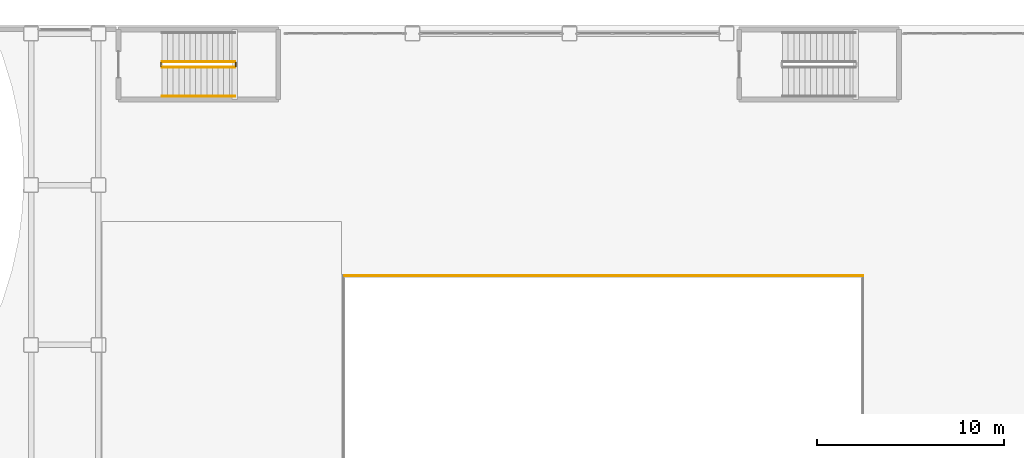
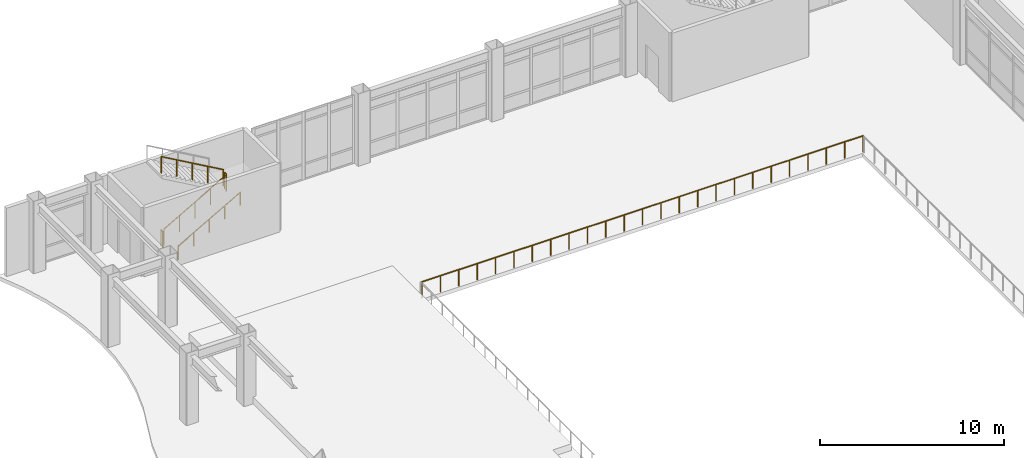
# One storey, part 146 of 154: 6 railings.
"""IFC4 building model written with IfcOpenShell, lengths in metres."""

import ifcopenshell
import ifcopenshell.guid

model = None  # the IFC model being written
_history = None  # IfcOwnerHistory: only IFC2X3 demands one
_inside = {}  # id of a spatial element -> (the spatial element, [elements in it])
_under = {}  # id of a project, library or spatial element -> (it, [spatial elements below it])
_declared = {}  # id of a project -> (the project, [libraries it declares])
_typed = {}  # id of a type object -> (the type object, [elements of that type])
_made_of = {}  # id of a material, layer set ... -> (it, [elements and type objects made of it])


def new_model(schema):
    """Start an empty IFC model of exactly this schema.

    Asked for "IFC4X3", IfcOpenShell would pick the latest addendum, in which some entities
    have other attributes; the version numbers below select the first issue.
    IFC2X3 requires an IfcOwnerHistory on every rooted entity: one is made here for all.
    """
    global model, _history
    if schema == "IFC4X3":
        model = ifcopenshell.file(schema_version=(4, 3, 0, 0))
    else:
        model = ifcopenshell.file(schema=schema)
    _inside.clear()
    _under.clear()
    _declared.clear()
    _typed.clear()
    _made_of.clear()
    _history = None
    if model.schema == "IFC2X3":
        org = make("IfcOrganization", Name="unknown")
        user = make(
            "IfcPersonAndOrganization",
            ThePerson=make("IfcPerson", FamilyName="unknown"),
            TheOrganization=org,
        )
        app = make(
            "IfcApplication",
            ApplicationDeveloper=org,
            Version="unknown",
            ApplicationFullName="unknown",
            ApplicationIdentifier="unknown",
        )
        _history = make(
            "IfcOwnerHistory",
            OwningUser=user,
            OwningApplication=app,
            ChangeAction="ADDED",
            CreationDate=0,
        )
    return model


def make(cls, **values):
    """One entity of the class cls with the attributes given. An attribute that is None is left unset."""
    return model.create_entity(
        cls, **{name: value for name, value in values.items() if value is not None}
    )


def rooted(cls, **values):
    """An entity with a GlobalId (a new one), such as an element, a storey or a relation."""
    return make(cls, GlobalId=ifcopenshell.guid.new(), OwnerHistory=_history, **values)


def si_unit(unit_type, name, prefix=None):
    """IfcSIUnit, for example si_unit("LENGTHUNIT", "METRE", prefix="MILLI")."""
    return make("IfcSIUnit", UnitType=unit_type, Prefix=prefix, Name=name)


def assignment(units):
    """IfcUnitAssignment: the units of a project."""
    return None if units is None else make("IfcUnitAssignment", Units=units)


def point(xyz):
    """IfcCartesianPoint."""
    return None if xyz is None else make("IfcCartesianPoint", Coordinates=xyz)


def direction(xyz):
    """IfcDirection."""
    return None if xyz is None else make("IfcDirection", DirectionRatios=xyz)


def frame(location, z_axis=None, x_axis=None):
    """IfcAxis2Placement3D, a coordinate frame: its origin and axes. An axis left out is left unset."""
    return make(
        "IfcAxis2Placement3D",
        Location=point(location),
        Axis=direction(z_axis),
        RefDirection=direction(x_axis),
    )


def frame_2d(location, x_axis=None):
    """IfcAxis2Placement2D, a coordinate frame in the plane: its origin and x axis."""
    return make(
        "IfcAxis2Placement2D", Location=point(location), RefDirection=direction(x_axis)
    )


def origin():
    """The frame at (0, 0, 0) with its axes left unset."""
    return frame((0.0, 0.0, 0.0))


def origin_2d():
    """The frame at (0, 0) in the plane with its x axis left unset."""
    return frame_2d((0.0, 0.0))


def place(relative_to, where):
    """IfcLocalPlacement: puts the frame where relative to a parent placement (None: the world)."""
    return make(
        "IfcLocalPlacement", PlacementRelTo=relative_to, RelativePlacement=where
    )


def context(
    kind, dimensions, precision=None, world=None, true_north=None, identifier=None
):
    """IfcGeometricRepresentationContext, for example the 3D "Model" context."""
    return make(
        "IfcGeometricRepresentationContext",
        ContextIdentifier=identifier,
        ContextType=kind,
        CoordinateSpaceDimension=dimensions,
        Precision=precision,
        WorldCoordinateSystem=world,
        TrueNorth=true_north,
    )


def subcontext(parent, identifier, kind, view, scale=None):
    """IfcGeometricRepresentationSubContext, for example "Body" below "Model"."""
    return make(
        "IfcGeometricRepresentationSubContext",
        ContextIdentifier=identifier,
        ContextType=kind,
        ParentContext=parent,
        TargetScale=scale,
        TargetView=view,
    )


def project(units=None, contexts=None):
    """IfcProject with its units and contexts."""
    return rooted(
        "IfcProject",
        Name="project",
        RepresentationContexts=contexts,
        UnitsInContext=assignment(units),
    )


def spatial(cls, under=None, at=None, **own):
    """A site, building, storey or space (cls), placed at a placement, below another one or the project."""
    s = rooted(cls, ObjectPlacement=at, **own)
    if under is not None:
        _under.setdefault(under.id(), (under, []))[1].append(s)
    return s


def profile(cls, at=None, kind="AREA", **sizes):
    """A parametric profile (cls). Its sizes go by their IFC names, for example OverallWidth=200.0."""
    return make(cls, ProfileType=kind, Position=at, **sizes)


def circle(**sizes):
    """IfcCircleProfileDef."""
    return profile("IfcCircleProfileDef", **sizes)


def extrude(swept, where, along, depth):
    """IfcExtrudedAreaSolid: the profile swept, set in the frame where, extruded along a direction by depth."""
    return make(
        "IfcExtrudedAreaSolid",
        SweptArea=swept,
        Position=where,
        ExtrudedDirection=direction(along),
        Depth=depth,
    )


def shape(context_of_items, identifier, shape_type, items):
    """IfcShapeRepresentation: the items that make up one representation, for example the "Body"."""
    return make(
        "IfcShapeRepresentation",
        ContextOfItems=context_of_items,
        RepresentationIdentifier=identifier,
        RepresentationType=shape_type,
        Items=items,
    )


def material(Name=None, Category=None):
    """IfcMaterial."""
    return make("IfcMaterial", Name=Name, Category=Category)


def made_of(thing, what):
    """Note that an element or type object is made of a material, layer set ...; save() writes the relation."""
    if what is not None:
        _made_of.setdefault(what.id(), (what, []))[1].append(thing)
    return thing


def type_object(cls, material=None, **own):
    """A type object (cls), such as IfcWallType, which elements share."""
    return made_of(rooted(cls, **own), material)


def element(
    cls,
    number,
    at=None,
    inside=None,
    cuts=None,
    type_object=None,
    material=None,
    context=None,
    identifier="Body",
    shape_type=None,
    held_by="IfcProductDefinitionShape",
    body=None,
    shapes=None,
    **own,
):
    """One element of the class cls, such as IfcWall. Its Tag is "e" and its number.

    at: its placement. inside: the storey or other place that contains it. cuts: it is an
    opening in that element (IfcRelVoidsElement). A single representation is given by context,
    identifier, shape_type and body (its items); several are given by shapes. held_by: the class
    of the entity that holds the representations. save() writes the other relations.
    """
    e = rooted(cls, Tag="e%d" % number, ObjectPlacement=at, **own)
    if body is not None:
        shapes = [shape(context, identifier, shape_type, body)]
    if shapes is not None:
        e.Representation = make(held_by, Representations=shapes)
    if inside is not None:
        _inside.setdefault(inside.id(), (inside, []))[1].append(e)
    if cuts is not None:
        rooted(
            "IfcRelVoidsElement", RelatingBuildingElement=cuts, RelatedOpeningElement=e
        )
    if type_object is not None:
        _typed.setdefault(type_object.id(), (type_object, []))[1].append(e)
    return made_of(e, material)


def aggregate(whole, parts):
    """IfcRelAggregates: a whole, such as a stair, and the parts it consists of."""
    return rooted("IfcRelAggregates", RelatingObject=whole, RelatedObjects=parts)


def save(model, path):
    """Write the relations noted so far, then the file.

    IfcRelAggregates (storeys below a building ...), IfcRelContainedInSpatialStructure (elements
    in a storey), IfcRelDefinesByType, IfcRelAssociatesMaterial and IfcRelDeclares: one each for
    every whole, place, type object, material and project.
    """
    for whole, parts in _under.values():
        aggregate(whole, parts)
    for where, things in _inside.values():
        rooted(
            "IfcRelContainedInSpatialStructure",
            RelatedElements=things,
            RelatingStructure=where,
        )
    for kind, things in _typed.values():
        rooted("IfcRelDefinesByType", RelatedObjects=things, RelatingType=kind)
    for what, things in _made_of.values():
        rooted("IfcRelAssociatesMaterial", RelatedObjects=things, RelatingMaterial=what)
    for by, libraries in _declared.values():
        rooted("IfcRelDeclares", RelatingContext=by, RelatedDefinitions=libraries)
    model.write(path)


model = new_model("IFC4")

# Units and contexts
model_context = context("Model", 3, precision=1e-05, world=origin(), true_north=direction((0.0, 1.0)))
body_context = subcontext(model_context, "Body", "Model", "MODEL_VIEW")
ifc_project = project(units=[si_unit("LENGTHUNIT", "METRE"), si_unit("AREAUNIT", "SQUARE_METRE"), si_unit("VOLUMEUNIT", "CUBIC_METRE"), si_unit("PLANEANGLEUNIT", "RADIAN"), si_unit("MASSUNIT", "GRAM", prefix="KILO")], contexts=[model_context])

# Site, building, storey
site_placement = place(None, origin())
site = spatial("IfcSite", under=ifc_project, at=site_placement, CompositionType="ELEMENT")
building_placement = place(site_placement, origin())
building = spatial("IfcBuilding", under=site, at=building_placement, Name="Kazehara Bluff Congress Hotel", CompositionType="ELEMENT")
storey_placement = place(building_placement, frame((0.0, 0.0, 10.199951171875)))
storey = spatial("IfcBuildingStorey", under=building, at=storey_placement, Name="L02", CompositionType="ELEMENT", Elevation=10.199951171875)

# Railings
ifc_material_1 = material(Name="Brushed stainless steel", Category="steel")
railing_type_1 = type_object("IfcRailingType", Name="TP-GRD-INT", PredefinedType="GUARDRAIL", material=ifc_material_1)
railing_1_placement = place(storey_placement, frame((11.800048828125, 111.75, 0.17138671875)))
element("IfcRailing", 1, at=railing_1_placement, inside=storey, type_object=railing_type_1, Name="L02 ST-01 stair guard 1", PredefinedType="GUARDRAIL", context=body_context, shape_type="SweptSolid", body=[
    extrude(circle(Radius=0.02392578125, at=origin_2d()), frame((0.0, 0.0, 1.076171875), z_axis=(0.868219727965, 0.0, 0.496179910892), x_axis=(0.0, 1.0, 0.0)), (0.0, 0.0, 1.0), 4.491943359375),
    extrude(circle(Radius=0.02099609375, at=origin_2d()), origin(), (0.0, 0.0, 1.0), 1.052001953125),
    extrude(circle(Radius=0.02099609375, at=origin_2d()), frame((0.97509765625, 0.0, 0.55712890625)), (0.0, 0.0, 1.0), 1.052001953125),
    extrude(circle(Radius=0.02099609375, at=origin_2d()), frame((1.949951171875, 0.0, 1.1142578125)), (0.0, 0.0, 1.0), 1.052001953125),
    extrude(circle(Radius=0.02099609375, at=origin_2d()), frame((2.9248046875, 0.0, 1.671630859375)), (0.0, 0.0, 1.0), 1.052001953125),
    extrude(circle(Radius=0.02099609375, at=origin_2d()), frame((3.89990234375, 0.0, 2.228759765625)), (0.0, 0.0, 1.0), 1.052001953125),
])
railing_2_placement = place(storey_placement, frame((15.75, 111.800048828125, 2.400146484375)))
element("IfcRailing", 2, at=railing_2_placement, inside=storey, type_object=railing_type_1, Name="L02 ST-01 stair guard 2", PredefinedType="GUARDRAIL", context=body_context, shape_type="SweptSolid", body=[
    extrude(circle(Radius=0.02392578125, at=origin_2d()), frame((0.0, 0.0, 1.076171875), z_axis=(0.0, 1.0, 0.0), x_axis=(-1.0, 0.0, 0.0)), (0.0, 0.0, 1.0), 0.199951171875),
    extrude(circle(Radius=0.02099609375, at=origin_2d()), origin(), (0.0, 0.0, 1.0), 1.052001953125),
    extrude(circle(Radius=0.02099609375, at=origin_2d()), frame((0.0, 0.199951171875, 0.0)), (0.0, 0.0, 1.0), 1.052001953125),
])
railing_3_placement = place(storey_placement, frame((15.699951171875, 112.050048828125, 2.571533203125)))
element("IfcRailing", 3, at=railing_3_placement, inside=storey, type_object=railing_type_1, Name="L02 ST-01 stair guard 3", PredefinedType="GUARDRAIL", context=body_context, shape_type="SweptSolid", body=[
    extrude(circle(Radius=0.02392578125, at=origin_2d()), frame((0.0, 0.0, 1.076171875), z_axis=(-0.868243142124, 0.0, 0.496138938357), x_axis=(0.0, -1.0, 0.0)), (0.0, 0.0, 1.0), 4.49169921875),
    extrude(circle(Radius=0.02099609375, at=origin_2d()), origin(), (0.0, 0.0, 1.0), 1.052001953125),
    extrude(circle(Radius=0.02099609375, at=origin_2d()), frame((-0.97509765625, 0.0, 0.55712890625)), (0.0, 0.0, 1.0), 1.052001953125),
    extrude(circle(Radius=0.02099609375, at=origin_2d()), frame((-1.949951171875, 0.0, 1.1142578125)), (0.0, 0.0, 1.0), 1.052001953125),
    extrude(circle(Radius=0.02099609375, at=origin_2d()), frame((-2.9248046875, 0.0, 1.67138671875)), (0.0, 0.0, 1.0), 1.052001953125),
    extrude(circle(Radius=0.02099609375, at=origin_2d()), frame((-3.89990234375, 0.0, 2.228515625)), (0.0, 0.0, 1.0), 1.052001953125),
])
railing_4_placement = place(storey_placement, frame((11.75, 111.800048828125, 0.0)))
element("IfcRailing", 4, at=railing_4_placement, inside=storey, type_object=railing_type_1, Name="L02 ST-01 stair guard 4", PredefinedType="GUARDRAIL", context=body_context, shape_type="SweptSolid", body=[
    extrude(circle(Radius=0.02392578125, at=origin_2d()), frame((0.0, 0.0, 1.076171875), z_axis=(0.0, 1.0, 0.0), x_axis=(-1.0, 0.0, 0.0)), (0.0, 0.0, 1.0), 0.199951171875),
    extrude(circle(Radius=0.02099609375, at=origin_2d()), origin(), (0.0, 0.0, 1.0), 1.052001953125),
    extrude(circle(Radius=0.02099609375, at=origin_2d()), frame((0.0, 0.199951171875, 0.0)), (0.0, 0.0, 1.0), 1.052001953125),
])
railing_5_placement = place(storey_placement, frame((49.300048828125, 100.60009765625, 0.0)))
element("IfcRailing", 5, at=railing_5_placement, inside=storey, type_object=railing_type_1, Name="L02 V1-VOID void guardrail N", PredefinedType="GUARDRAIL", context=body_context, shape_type="SweptSolid", body=[
    extrude(circle(Radius=0.02392578125, at=origin_2d()), frame((0.0, 0.0, 1.076171875), z_axis=(-1.0, 0.0, 0.0), x_axis=(0.0, -1.0, 0.0)), (0.0, 0.0, 1.0), 27.719970703125),
    extrude(circle(Radius=0.02099609375, at=origin_2d()), origin(), (0.0, 0.0, 1.0), 1.052001953125),
    extrude(circle(Radius=0.02099609375, at=origin_2d()), frame((-1.155029296875, 0.0, 0.0)), (0.0, 0.0, 1.0), 1.052001953125),
    extrude(circle(Radius=0.02099609375, at=origin_2d()), frame((-2.31005859375, 0.0, 0.0)), (0.0, 0.0, 1.0), 1.052001953125),
    extrude(circle(Radius=0.02099609375, at=origin_2d()), frame((-3.465087890625, 0.0, 0.0)), (0.0, 0.0, 1.0), 1.052001953125),
    extrude(circle(Radius=0.02099609375, at=origin_2d()), frame((-4.6201171875, 0.0, 0.0)), (0.0, 0.0, 1.0), 1.052001953125),
    extrude(circle(Radius=0.02099609375, at=origin_2d()), frame((-5.77490234375, 0.0, 0.0)), (0.0, 0.0, 1.0), 1.052001953125),
    extrude(circle(Radius=0.02099609375, at=origin_2d()), frame((-6.929931640625, 0.0, 0.0)), (0.0, 0.0, 1.0), 1.052001953125),
    extrude(circle(Radius=0.02099609375, at=origin_2d()), frame((-8.0849609375, 0.0, 0.0)), (0.0, 0.0, 1.0), 1.052001953125),
    extrude(circle(Radius=0.02099609375, at=origin_2d()), frame((-9.239990234375, 0.0, 0.0)), (0.0, 0.0, 1.0), 1.052001953125),
    extrude(circle(Radius=0.02099609375, at=origin_2d()), frame((-10.39501953125, 0.0, 0.0)), (0.0, 0.0, 1.0), 1.052001953125),
    extrude(circle(Radius=0.02099609375, at=origin_2d()), frame((-11.550048828125, 0.0, 0.0)), (0.0, 0.0, 1.0), 1.052001953125),
    extrude(circle(Radius=0.02099609375, at=origin_2d()), frame((-12.705078125, 0.0, 0.0)), (0.0, 0.0, 1.0), 1.052001953125),
    extrude(circle(Radius=0.02099609375, at=origin_2d()), frame((-13.85986328125, 0.0, 0.0)), (0.0, 0.0, 1.0), 1.052001953125),
    extrude(circle(Radius=0.02099609375, at=origin_2d()), frame((-15.014892578125, 0.0, 0.0)), (0.0, 0.0, 1.0), 1.052001953125),
    extrude(circle(Radius=0.02099609375, at=origin_2d()), frame((-16.169921875, 0.0, 0.0)), (0.0, 0.0, 1.0), 1.052001953125),
    extrude(circle(Radius=0.02099609375, at=origin_2d()), frame((-17.324951171875, 0.0, 0.0)), (0.0, 0.0, 1.0), 1.052001953125),
    extrude(circle(Radius=0.02099609375, at=origin_2d()), frame((-18.47998046875, 0.0, 0.0)), (0.0, 0.0, 1.0), 1.052001953125),
    extrude(circle(Radius=0.02099609375, at=origin_2d()), frame((-19.635009765625, 0.0, 0.0)), (0.0, 0.0, 1.0), 1.052001953125),
    extrude(circle(Radius=0.02099609375, at=origin_2d()), frame((-20.7900390625, 0.0, 0.0)), (0.0, 0.0, 1.0), 1.052001953125),
    extrude(circle(Radius=0.02099609375, at=origin_2d()), frame((-21.945068359375, 0.0, 0.0)), (0.0, 0.0, 1.0), 1.052001953125),
    extrude(circle(Radius=0.02099609375, at=origin_2d()), frame((-23.10009765625, 0.0, 0.0)), (0.0, 0.0, 1.0), 1.052001953125),
    extrude(circle(Radius=0.02099609375, at=origin_2d()), frame((-24.2548828125, 0.0, 0.0)), (0.0, 0.0, 1.0), 1.052001953125),
    extrude(circle(Radius=0.02099609375, at=origin_2d()), frame((-25.409912109375, 0.0, 0.0)), (0.0, 0.0, 1.0), 1.052001953125),
    extrude(circle(Radius=0.02099609375, at=origin_2d()), frame((-26.56494140625, 0.0, 0.0)), (0.0, 0.0, 1.0), 1.052001953125),
    extrude(circle(Radius=0.02099609375, at=origin_2d()), frame((-27.719970703125, 0.0, 0.0)), (0.0, 0.0, 1.0), 1.052001953125),
])
ifc_material_2 = material(Name="Brushed stainless steel", Category="steel")
railing_type_2 = type_object("IfcRailingType", Name="TP-HR-INT", PredefinedType="HANDRAIL", material=ifc_material_2)
railing_6_placement = place(storey_placement, frame((11.800048828125, 110.199951171875, 0.17138671875)))
element("IfcRailing", 6, at=railing_6_placement, inside=storey, type_object=railing_type_2, Name="L02 ST-01 stair handrail 1", PredefinedType="HANDRAIL", context=body_context, shape_type="SweptSolid", body=[
    extrude(circle(Radius=0.02392578125, at=origin_2d()), frame((0.0, 0.0, 0.8759765625), z_axis=(0.868219727965, 0.0, 0.496179910892), x_axis=(0.0, 1.0, 0.0)), (0.0, 0.0, 1.0), 4.491943359375),
    extrude(circle(Radius=0.02099609375, at=origin_2d()), origin(), (0.0, 0.0, 1.0), 0.851806640625),
    extrude(circle(Radius=0.02099609375, at=origin_2d()), frame((0.97509765625, 0.0, 0.55712890625)), (0.0, 0.0, 1.0), 0.851806640625),
    extrude(circle(Radius=0.02099609375, at=origin_2d()), frame((1.949951171875, 0.0, 1.1142578125)), (0.0, 0.0, 1.0), 0.851806640625),
    extrude(circle(Radius=0.02099609375, at=origin_2d()), frame((2.9248046875, 0.0, 1.671630859375)), (0.0, 0.0, 1.0), 0.851806640625),
    extrude(circle(Radius=0.02099609375, at=origin_2d()), frame((3.89990234375, 0.0, 2.228759765625)), (0.0, 0.0, 1.0), 0.851806640625),
])

save(model, "model.ifc")
